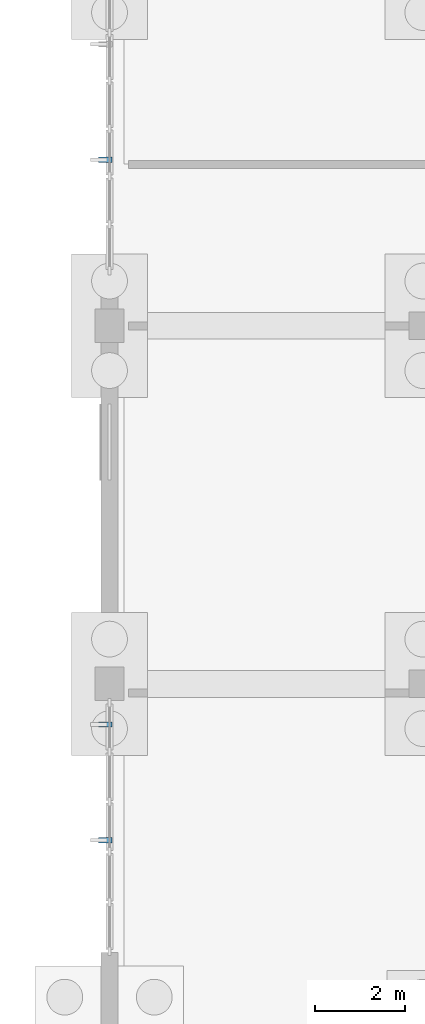
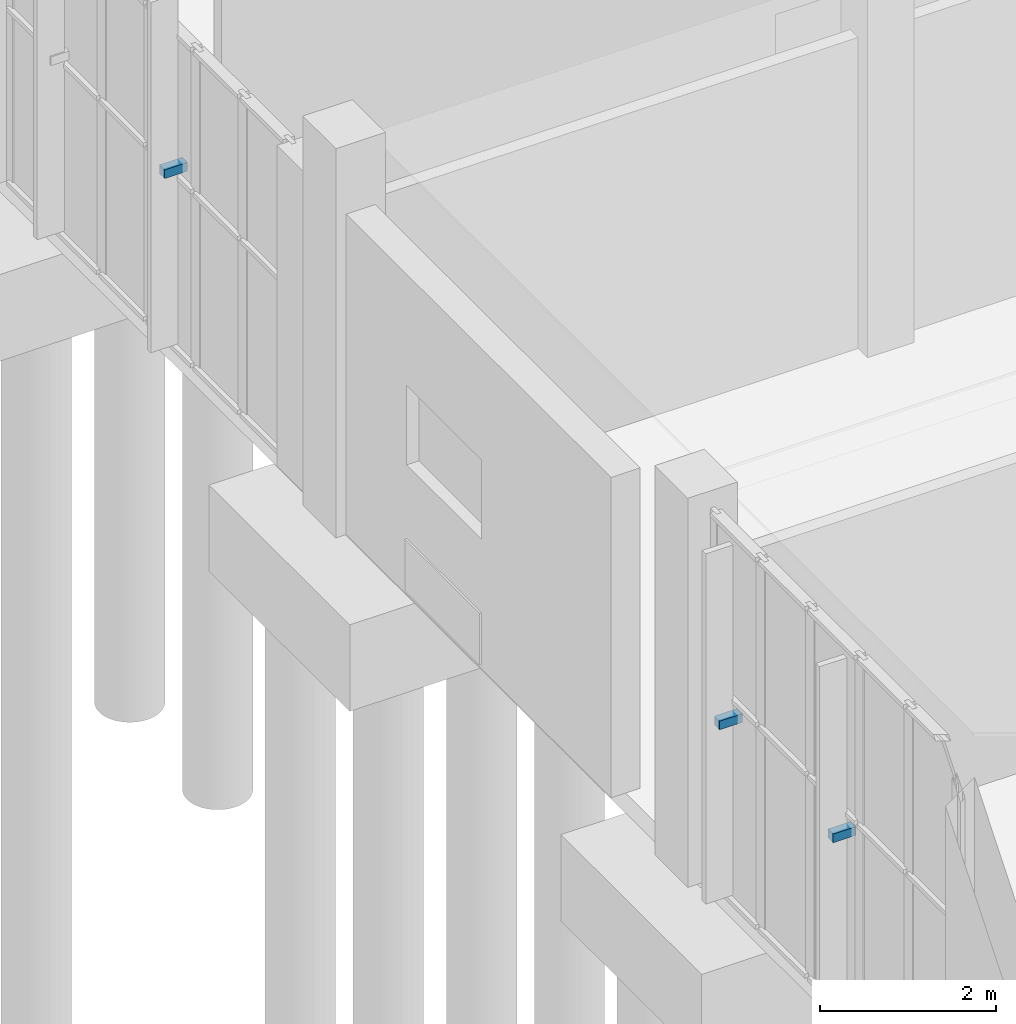
# One storey, part 56 of 69: 3 discrete accessories.
"""IFC4 building model written with IfcOpenShell, lengths in metres."""

from ifc_helpers import new_model, si_unit, direction, frame, origin, origin_2d, place, context, subcontext, project, spatial, rectangle, extrude, material, type_object, element, save


model = new_model("IFC4")

# Units and contexts
model_context = context("Model", 3, precision=1e-05, world=origin(), true_north=direction((0.0, 1.0)))
body_context = subcontext(model_context, "Body", "Model", "MODEL_VIEW")
ifc_project = project(units=[si_unit("LENGTHUNIT", "METRE"), si_unit("AREAUNIT", "SQUARE_METRE"), si_unit("VOLUMEUNIT", "CUBIC_METRE"), si_unit("PLANEANGLEUNIT", "RADIAN"), si_unit("MASSUNIT", "GRAM", prefix="KILO")], contexts=[model_context])

# Site, building, storey
site_placement = place(None, origin())
site = spatial("IfcSite", under=ifc_project, at=site_placement, CompositionType="ELEMENT")
building_placement = place(site_placement, origin())
building = spatial("IfcBuilding", under=site, at=building_placement, Name="Solvane Community Centre", CompositionType="ELEMENT")
storey_placement = place(building_placement, origin())
storey = spatial("IfcBuildingStorey", under=building, at=storey_placement, Name="L00", CompositionType="ELEMENT", Elevation=0.0)

# Discrete accessories
ifc_material = material(Name="Steel ASTM A572 Grade 50", Category="steel")
discrete_accessory_type = type_object("IfcDiscreteAccessoryType", Name="Fin Mounting Bracket 120x120", PredefinedType="BRACKET", material=ifc_material)
for number, where, z_axis, x_axis, name in (
    (1, (5.89990234375, 82.508056640625, 2.52001953125), (0.0, 0.0, 1.0), (0.0, 1.0, 0.0), "Fin Bracket 7"),
    (2, (5.89990234375, 85.092041015625, 2.52001953125), (0.0, 0.0, 1.0), (0.0, 1.0, 0.0), "Fin Bracket 8"),
    (3, (5.89990234375, 97.7080078125, 2.52001953125), (0.0, 0.0, 1.0), (0.0, 1.0, 0.0), "Fin Bracket 9"),
):
    element("IfcDiscreteAccessory", number, at=place(storey_placement, frame(where, z_axis=z_axis, x_axis=x_axis)), inside=storey, type_object=discrete_accessory_type, Name=name, PredefinedType="BRACKET", context=body_context, shape_type="SweptSolid", body=[
        extrude(rectangle(XDim=0.1201171875, YDim=0.300048828125, at=origin_2d()), origin(), (0.0, 0.0, 1.0), 0.1201171875),
    ])

save(model, "model.ifc")
